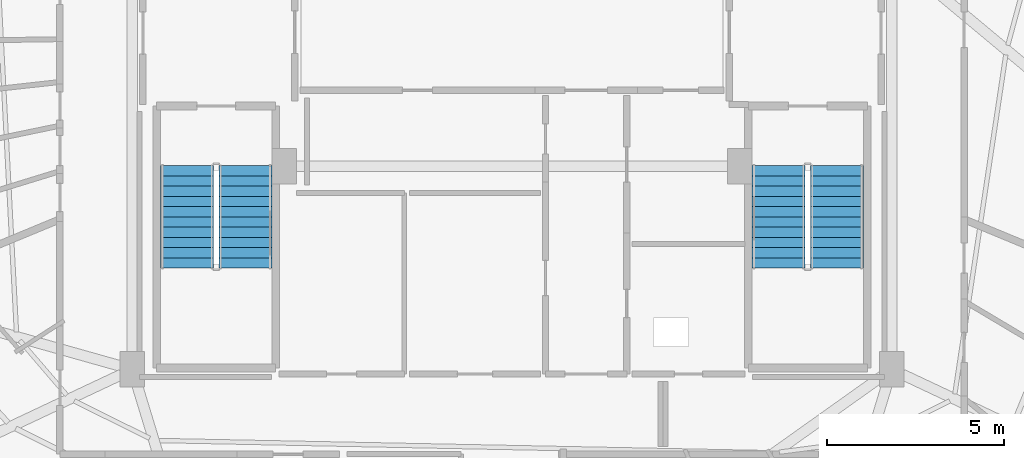
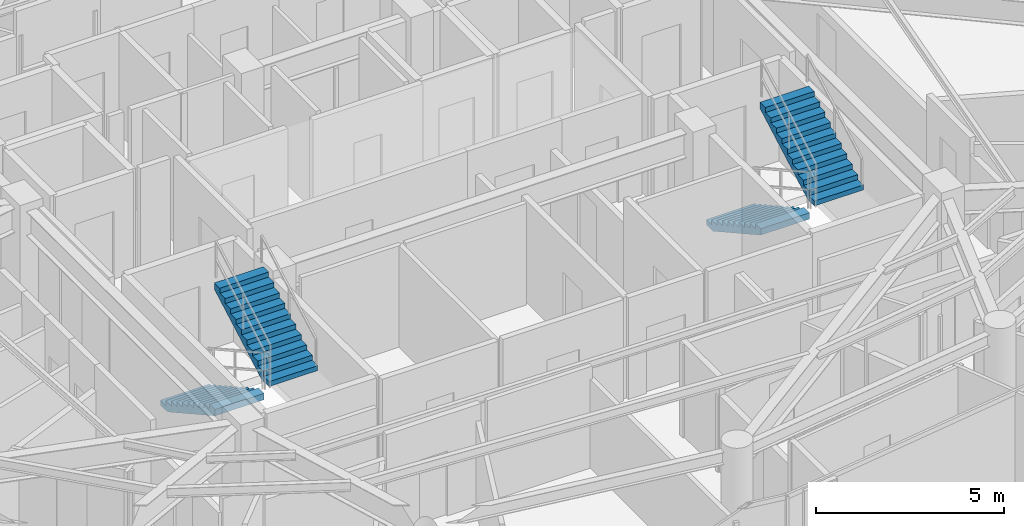
# One storey, part 28 of 31: 4 stair flights, 2 elements without a shape of their own.
"""IFC4 building model written with IfcOpenShell, lengths in metres."""

from ifc_helpers import new_model, si_unit, direction, frame, origin, place, context, subcontext, project, spatial, polyline, outline, extrude, material, type_object, element, aggregate, save


model = new_model("IFC4")

# Units and contexts
model_context = context("Model", 3, precision=1e-05, world=origin(), true_north=direction((0.0, 1.0)))
body_context = subcontext(model_context, "Body", "Model", "MODEL_VIEW")
ifc_project = project(units=[si_unit("LENGTHUNIT", "METRE"), si_unit("AREAUNIT", "SQUARE_METRE"), si_unit("VOLUMEUNIT", "CUBIC_METRE"), si_unit("PLANEANGLEUNIT", "RADIAN"), si_unit("MASSUNIT", "GRAM", prefix="KILO")], contexts=[model_context])

# Site, building, storey
site_placement = place(None, origin())
site = spatial("IfcSite", under=ifc_project, at=site_placement, CompositionType="ELEMENT")
building_placement = place(site_placement, origin())
building = spatial("IfcBuilding", under=site, at=building_placement, Name="Vorneva Point Tower", CompositionType="ELEMENT")
storey_placement = place(building_placement, frame((0.0, 0.0, 244.89990234375)))
storey = spatial("IfcBuildingStorey", under=building, at=storey_placement, Name="L66", CompositionType="ELEMENT", Elevation=244.89990234375)

# Stair, stair flights
ifc_material = material(Name="Concrete B50 (C40/50)", Category="concrete")
stair_type = type_object("IfcStairType", Name="ST-DOG-1500", PredefinedType="HALF_TURN_STAIR", material=ifc_material)
stair_1_placement = place(storey_placement, origin())
stair_1 = element("IfcStair", 1, at=stair_1_placement, inside=storey, type_object=stair_type, Name="L66 ST1", PredefinedType="HALF_TURN_STAIR")
stair_flight_type = type_object("IfcStairFlightType", Name="STF-1500", PredefinedType="STRAIGHT", material=ifc_material)
stair_flight_1_placement = place(storey_placement, frame((28.800048828125, 22.219970703125, 0.0), z_axis=(0.0, 0.0, 1.0), x_axis=(0.0, -1.0, 0.0)))
stair_flight_1 = element("IfcStairFlight", 2, at=stair_flight_1_placement, type_object=stair_flight_type, Name="ST1 flight 1", NumberOfRisers=11, NumberOfTreads=10, PredefinedType="STRAIGHT", RiserHeight=0.161363636, TreadLength=0.29, context=body_context, shape_type="SweptSolid", body=[
    extrude(outline(polyline([(0.0, 0.0), (0.0, 0.161376953125), (0.2900390625, 0.161376953125), (0.2900390625, 0.32275390625), (0.580078125, 0.32275390625), (0.580078125, 0.484130859375), (0.8701171875, 0.484130859375), (0.8701171875, 0.6455078125), (1.159912109375, 0.6455078125), (1.159912109375, 0.806884765625), (1.449951171875, 0.806884765625), (1.449951171875, 0.96826171875), (1.739990234375, 0.96826171875), (1.739990234375, 1.129638671875), (2.030029296875, 1.129638671875), (2.030029296875, 1.291015625), (2.320068359375, 1.291015625), (2.320068359375, 1.452392578125), (2.610107421875, 1.452392578125), (2.610107421875, 1.613525390625), (2.89990234375, 1.613525390625), (2.89990234375, 1.77490234375), (2.89990234375, 1.40771484375), (0.3701171875, 0.0), (0.0, 0.0)])), frame((0.0, 0.75, 0.0), z_axis=(0.0, -1.0, 0.0), x_axis=(1.0, 0.0, 0.0)), (0.0, 0.0, 1.0), 1.5),
])
stair_flight_2_placement = place(storey_placement, frame((30.449951171875, 19.320068359375, 1.775146484375), z_axis=(0.0, 0.0, 1.0), x_axis=(0.0, 1.0, 0.0)))
stair_flight_2 = element("IfcStairFlight", 3, at=stair_flight_2_placement, type_object=stair_flight_type, Name="ST1 flight 2", NumberOfRisers=11, NumberOfTreads=10, PredefinedType="STRAIGHT", RiserHeight=0.161363636, TreadLength=0.29, context=body_context, shape_type="SweptSolid", body=[
    extrude(outline(polyline([(0.0, 0.0), (0.0, 0.161376953125), (0.2900390625, 0.161376953125), (0.2900390625, 0.32275390625), (0.580078125, 0.32275390625), (0.580078125, 0.484130859375), (0.8701171875, 0.484130859375), (0.8701171875, 0.6455078125), (1.159912109375, 0.6455078125), (1.159912109375, 0.806884765625), (1.449951171875, 0.806884765625), (1.449951171875, 0.96826171875), (1.739990234375, 0.96826171875), (1.739990234375, 1.129638671875), (2.030029296875, 1.129638671875), (2.030029296875, 1.291015625), (2.320068359375, 1.291015625), (2.320068359375, 1.452392578125), (2.610107421875, 1.452392578125), (2.610107421875, 1.613525390625), (2.89990234375, 1.613525390625), (2.89990234375, 1.77490234375), (2.89990234375, 1.40771484375), (0.3701171875, 0.0), (0.0, 0.0)])), frame((0.0, 0.75, 0.0), z_axis=(0.0, -1.0, 0.0), x_axis=(1.0, 0.0, 0.0)), (0.0, 0.0, 1.0), 1.5),
])
aggregate(stair_1, [stair_flight_1, stair_flight_2])

stair_2_placement = place(storey_placement, origin())
stair_2 = element("IfcStair", 4, at=stair_2_placement, inside=storey, type_object=stair_type, Name="L66 ST2", PredefinedType="HALF_TURN_STAIR")
stair_flight_3_placement = place(storey_placement, frame((45.550048828125, 22.219970703125, 0.0), z_axis=(0.0, 0.0, 1.0), x_axis=(0.0, -1.0, 0.0)))
stair_flight_3 = element("IfcStairFlight", 5, at=stair_flight_3_placement, type_object=stair_flight_type, Name="ST2 flight 1", NumberOfRisers=11, NumberOfTreads=10, PredefinedType="STRAIGHT", RiserHeight=0.161363636, TreadLength=0.29, context=body_context, shape_type="SweptSolid", body=[
    extrude(outline(polyline([(0.0, 0.0), (0.0, 0.161376953125), (0.2900390625, 0.161376953125), (0.2900390625, 0.32275390625), (0.580078125, 0.32275390625), (0.580078125, 0.484130859375), (0.8701171875, 0.484130859375), (0.8701171875, 0.6455078125), (1.159912109375, 0.6455078125), (1.159912109375, 0.806884765625), (1.449951171875, 0.806884765625), (1.449951171875, 0.96826171875), (1.739990234375, 0.96826171875), (1.739990234375, 1.129638671875), (2.030029296875, 1.129638671875), (2.030029296875, 1.291015625), (2.320068359375, 1.291015625), (2.320068359375, 1.452392578125), (2.610107421875, 1.452392578125), (2.610107421875, 1.613525390625), (2.89990234375, 1.613525390625), (2.89990234375, 1.77490234375), (2.89990234375, 1.40771484375), (0.3701171875, 0.0), (0.0, 0.0)])), frame((0.0, 0.75, 0.0), z_axis=(0.0, -1.0, 0.0), x_axis=(1.0, 0.0, 0.0)), (0.0, 0.0, 1.0), 1.5),
])
stair_flight_4_placement = place(storey_placement, frame((47.199951171875, 19.320068359375, 1.775146484375), z_axis=(0.0, 0.0, 1.0), x_axis=(0.0, 1.0, 0.0)))
stair_flight_4 = element("IfcStairFlight", 6, at=stair_flight_4_placement, type_object=stair_flight_type, Name="ST2 flight 2", NumberOfRisers=11, NumberOfTreads=10, PredefinedType="STRAIGHT", RiserHeight=0.161363636, TreadLength=0.29, context=body_context, shape_type="SweptSolid", body=[
    extrude(outline(polyline([(0.0, 0.0), (0.0, 0.161376953125), (0.2900390625, 0.161376953125), (0.2900390625, 0.32275390625), (0.580078125, 0.32275390625), (0.580078125, 0.484130859375), (0.8701171875, 0.484130859375), (0.8701171875, 0.6455078125), (1.159912109375, 0.6455078125), (1.159912109375, 0.806884765625), (1.449951171875, 0.806884765625), (1.449951171875, 0.96826171875), (1.739990234375, 0.96826171875), (1.739990234375, 1.129638671875), (2.030029296875, 1.129638671875), (2.030029296875, 1.291015625), (2.320068359375, 1.291015625), (2.320068359375, 1.452392578125), (2.610107421875, 1.452392578125), (2.610107421875, 1.613525390625), (2.89990234375, 1.613525390625), (2.89990234375, 1.77490234375), (2.89990234375, 1.40771484375), (0.3701171875, 0.0), (0.0, 0.0)])), frame((0.0, 0.75, 0.0), z_axis=(0.0, -1.0, 0.0), x_axis=(1.0, 0.0, 0.0)), (0.0, 0.0, 1.0), 1.5),
])
aggregate(stair_2, [stair_flight_3, stair_flight_4])

save(model, "model.ifc")
